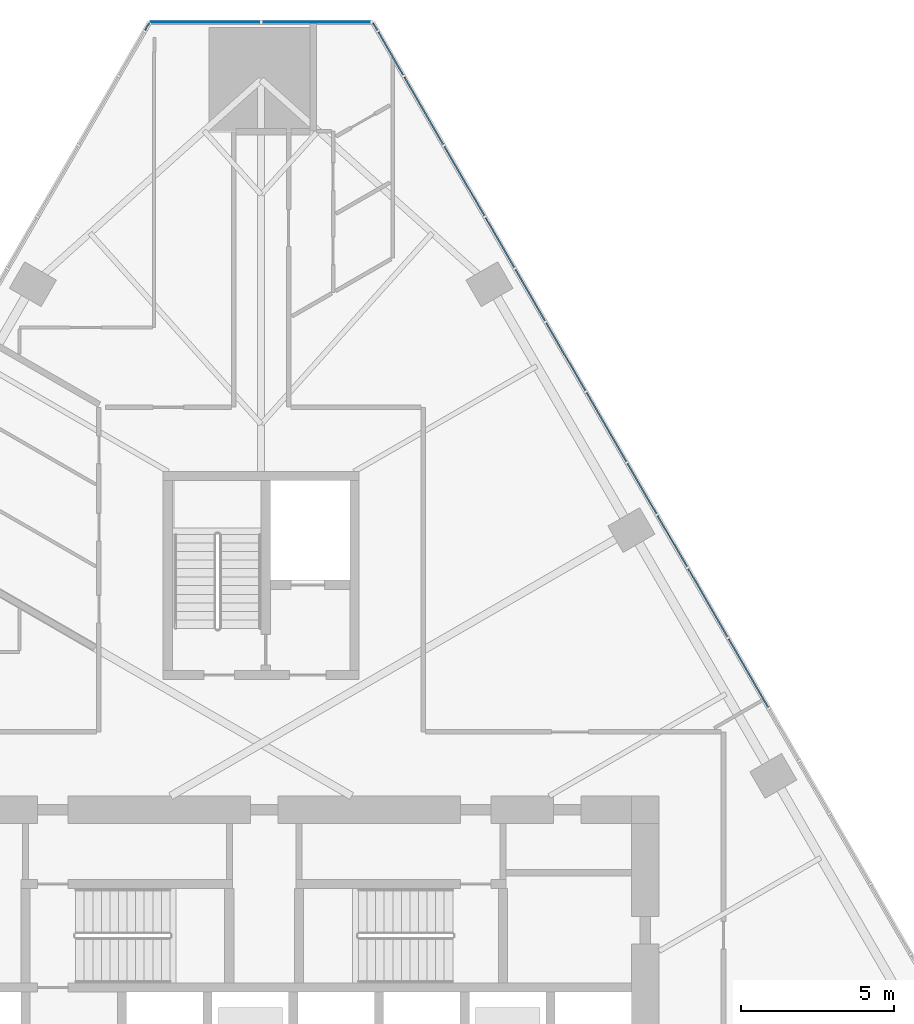
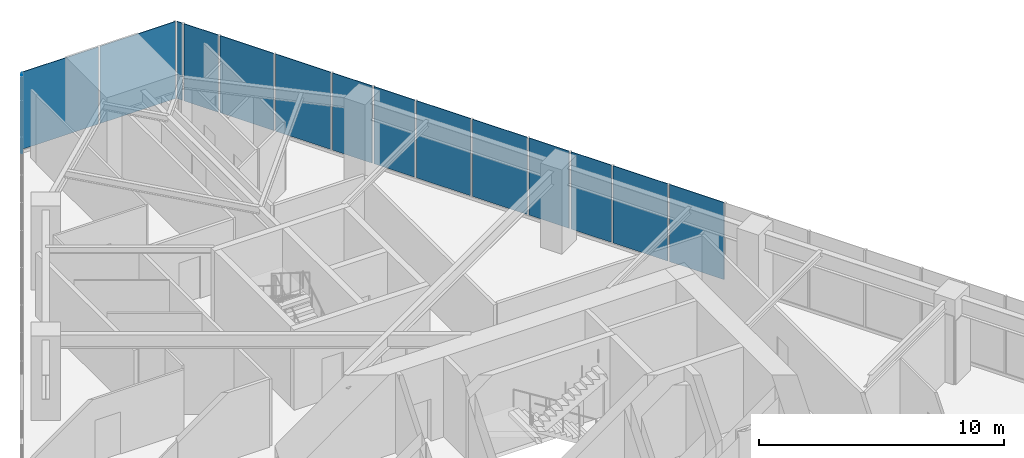
# One storey, part 15 of 22: 15 plates, 3 elements without a shape of their own.
"""IFC4 building model written with IfcOpenShell, lengths in metres."""

from ifc_helpers import new_model, si_unit, direction, frame, origin, place, context, subcontext, project, spatial, polyline, outline, extrude, material, layer, layer_set, type_object, element, aggregate, save


model = new_model("IFC4")

# Units and contexts
model_context = context("Model", 3, precision=1e-05, world=origin(), true_north=direction((0.0, 1.0)))
body_context = subcontext(model_context, "Body", "Model", "MODEL_VIEW")
ifc_project = project(units=[si_unit("LENGTHUNIT", "METRE"), si_unit("AREAUNIT", "SQUARE_METRE"), si_unit("VOLUMEUNIT", "CUBIC_METRE"), si_unit("PLANEANGLEUNIT", "RADIAN"), si_unit("MASSUNIT", "GRAM", prefix="KILO")], contexts=[model_context])

# Site, building, storey
site_placement = place(None, origin())
site = spatial("IfcSite", under=ifc_project, at=site_placement, CompositionType="ELEMENT")
building_placement = place(site_placement, origin())
building = spatial("IfcBuilding", under=site, at=building_placement, Name="Firuza Gate Tower and Library", CompositionType="ELEMENT")
storey_placement = place(building_placement, frame((0.0, 0.0, 132.39990234375)))
storey = spatial("IfcBuildingStorey", under=building, at=storey_placement, Name="L30", CompositionType="ELEMENT", Elevation=132.39990234375)

# Curtain wall, plates
ifc_material_1 = material(Name="Aluminium 6063-T6", Category="aluminium")
ifc_layer_1 = layer(ifc_material_1, 0.14990234375)
ifc_layer_set_1 = layer_set([ifc_layer_1], Name="Corner curtain wall, chamfers")
curtain_wall_type_1 = type_object("IfcCurtainWallType", Name="Corner curtain wall, chamfers", PredefinedType="NOTDEFINED", material=ifc_layer_set_1)
placement = place(storey_placement, origin())
curtain_wall_1 = element("IfcCurtainWall", 1, at=placement, inside=storey, type_object=curtain_wall_type_1, Name="CW4 L30 N corner", PredefinedType="NOTDEFINED")
ifc_material_2 = material(Name="Fritted glass", Category="glass")
ifc_layer_2 = layer(ifc_material_2, 0.030029296875)
ifc_layer_set_2 = layer_set([ifc_layer_2], Name="Fritted glass unit, corners")
plate_type_1 = type_object("IfcPlateType", Name="Fritted glass unit, corners", PredefinedType="CURTAIN_PANEL", material=ifc_layer_set_2)
plate_1_placement = place(storey_placement, frame((78.603271484375, 109.28857421875, 0.150146484375), z_axis=(0.0, 1.0, 0.0), x_axis=(-1.0, 0.0, 0.0)))
plate_1 = element("IfcPlate", 2, at=plate_1_placement, type_object=plate_type_1, Name="Glass unit", PredefinedType="CURTAIN_PANEL", context=body_context, shape_type="SweptSolid", body=[
    extrude(outline(polyline([(0.0, 0.0), (3.563232421875, 0.0), (3.563232421875, 3.849853515625), (0.0, 3.849853515625), (0.0, 0.0)])), origin(), (0.0, 0.0, -1.0), 0.030029296875),
])
plate_2_placement = place(storey_placement, frame((74.9599609375, 109.28857421875, 0.150146484375), z_axis=(0.0, 1.0, 0.0), x_axis=(-1.0, 0.0, 0.0)))
plate_2 = element("IfcPlate", 3, at=plate_2_placement, type_object=plate_type_1, Name="Glass unit", PredefinedType="CURTAIN_PANEL", context=body_context, shape_type="SweptSolid", body=[
    extrude(outline(polyline([(0.0, 0.0), (3.563232421875, 0.0), (3.563232421875, 3.849853515625), (0.0, 3.849853515625), (0.0, 0.0)])), origin(), (0.0, 0.0, -1.0), 0.030029296875),
])
aggregate(curtain_wall_1, [plate_1, plate_2])

ifc_material_3 = material(Name="Aluminium 6063-T6", Category="aluminium")
ifc_layer_3 = layer(ifc_material_3, 0.14990234375)
ifc_layer_set_3 = layer_set([ifc_layer_3], Name="Unitised curtain wall, offices")
curtain_wall_type_2 = type_object("IfcCurtainWallType", Name="Unitised curtain wall, offices", PredefinedType="NOTDEFINED", material=ifc_layer_set_3)
curtain_wall_2 = element("IfcCurtainWall", 4, at=placement, inside=storey, type_object=curtain_wall_type_2, Name="CW1 L30 E face", PredefinedType="NOTDEFINED")
ifc_material_4 = material(Name="Fritted glass", Category="glass")
ifc_layer_4 = layer(ifc_material_4, 0.030029296875)
ifc_layer_set_4 = layer_set([ifc_layer_4], Name="Fritted glass unit, offices")
plate_type_2 = type_object("IfcPlateType", Name="Fritted glass unit, offices", PredefinedType="CURTAIN_PANEL", material=ifc_layer_set_4)
plate_3_placement = place(storey_placement, frame((88.922119140625, 91.500244140625, 0.150146484375), z_axis=(0.865986339388, 0.500067655417, 0.0), x_axis=(-0.500067655417, 0.865986339388, 0.0)))
plate_3 = element("IfcPlate", 5, at=plate_3_placement, type_object=plate_type_2, Name="Glass unit", PredefinedType="CURTAIN_PANEL", context=body_context, shape_type="SweptSolid", body=[
    extrude(outline(polyline([(0.0, 0.0), (1.9181974783510434, 0.0), (1.9181974783510434, 3.849853515625001), (0.0, 3.849853515625001), (0.0, 0.0)])), origin(), (0.0, 0.0, -1.0), 0.030029296875),
])
plate_4_placement = place(storey_placement, frame((87.923095703125, 93.230712890625, 0.150146484375), z_axis=(0.865959598822, 0.500113960221, 0.0), x_axis=(-0.500113960221, 0.865959598822, 0.0)))
plate_4 = element("IfcPlate", 6, at=plate_4_placement, type_object=plate_type_2, Name="Glass unit", PredefinedType="CURTAIN_PANEL", context=body_context, shape_type="SweptSolid", body=[
    extrude(outline(polyline([(0.0, 0.0), (1.8892178461332794, 0.0), (1.8892178461332794, 3.849853515625), (0.0, 3.849853515625), (0.0, 0.0)])), origin(), (0.0, 0.0, -1.0), 0.030029296875),
])
plate_5_placement = place(storey_placement, frame((84.285888671875, 99.5302734375, 0.150146484375), z_axis=(0.866010966864, 0.500025004646, 0.0), x_axis=(-0.500025004646, 0.866010966864, 0.0)))
plate_5 = element("IfcPlate", 7, at=plate_5_placement, type_object=plate_type_2, Name="Glass unit", PredefinedType="CURTAIN_PANEL", context=body_context, shape_type="SweptSolid", body=[
    extrude(outline(polyline([(0.0, 0.0), (1.9325205435160588, 0.0), (1.9325205435160588, 3.849853515625001), (0.0, 3.849853515625001), (0.0, 0.0)])), origin(), (0.0, 0.0, -1.0), 0.030029296875),
])
plate_6_placement = place(storey_placement, frame((83.279541015625, 101.273193359375, 0.150146484375), z_axis=(0.86604679206, 0.499962952589, 0.0), x_axis=(-0.499962952589, 0.86604679206, 0.0)))
plate_6 = element("IfcPlate", 8, at=plate_6_placement, type_object=plate_type_2, Name="Glass unit", PredefinedType="CURTAIN_PANEL", context=body_context, shape_type="SweptSolid", body=[
    extrude(outline(polyline([(0.0, 0.0), (1.8746506206524143, 0.0), (1.8746506206524143, 3.849853515625), (0.0, 3.849853515625), (0.0, 0.0)])), origin(), (0.0, 0.0, -1.0), 0.030029296875),
])
plate_7_placement = place(storey_placement, frame((79.64990234375, 107.560302734375, 0.150146484375), z_axis=(0.865984300859, 0.500071185598, 0.0), x_axis=(-0.500071185598, 0.865984300859, 0.0)))
plate_7 = element("IfcPlate", 9, at=plate_7_placement, type_object=plate_type_2, Name="Glass unit", PredefinedType="CURTAIN_PANEL", context=body_context, shape_type="SweptSolid", body=[
    extrude(outline(polyline([(0.0, 0.0), (1.6159808683726462, 0.0), (1.6159808683726462, 3.849853515625), (0.0, 3.849853515625), (0.0, 0.0)])), origin(), (0.0, 0.0, -1.0), 0.030029296875),
])
ifc_material_5 = material(Name="Glazed ceramic tile")
ifc_layer_5 = layer(ifc_material_5, 0.030029296875)
ifc_layer_set_5 = layer_set([ifc_layer_5], Name="Opaque ceramic panel, offices")
plate_type_3 = type_object("IfcPlateType", Name="Opaque ceramic panel, offices", PredefinedType="CURTAIN_PANEL", material=ifc_layer_set_5)
plate_8_placement = place(storey_placement, frame((91.574462890625, 86.906005859375, 0.150146484375), z_axis=(0.866039021589, 0.499976412529, 0.0), x_axis=(-0.499976412529, 0.866039021589, 0.0)))
plate_8 = element("IfcPlate", 10, at=plate_8_placement, type_object=plate_type_3, Name="Opaque ceramic panel", PredefinedType="CURTAIN_PANEL", context=body_context, shape_type="SweptSolid", body=[
    extrude(outline(polyline([(0.0, 0.0), (2.5797115414918417, 0.0), (2.5797115414918417, 3.849853515625), (0.0, 3.849853515625), (0.0, 0.0)])), origin(), (0.0, 0.0, -1.0), 0.030029296875),
])
plate_9_placement = place(storey_placement, frame((90.24462890625, 89.20947265625, 0.150146484375), z_axis=(0.866038183914, 0.499977863513, 0.0), x_axis=(-0.499977863513, 0.866038183914, 0.0)))
plate_9 = element("IfcPlate", 11, at=plate_9_placement, type_object=plate_type_3, Name="Opaque ceramic panel", PredefinedType="CURTAIN_PANEL", context=body_context, shape_type="SweptSolid", body=[
    extrude(outline(polyline([(0.0, 0.0), (2.565054968863974, 0.0), (2.565054968863974, 3.849853515625), (0.0, 3.849853515625), (0.0, 0.0)])), origin(), (0.0, 0.0, -1.0), 0.030029296875),
])
plate_10_placement = place(storey_placement, frame((86.9384765625, 94.93603515625, 0.150146484375), z_axis=(0.866016323255, 0.500015727609, 0.0), x_axis=(-0.500015727609, 0.866016323255, 0.0)))
plate_10 = element("IfcPlate", 12, at=plate_10_placement, type_object=plate_type_3, Name="Opaque ceramic panel", PredefinedType="CURTAIN_PANEL", context=body_context, shape_type="SweptSolid", body=[
    extrude(outline(polyline([(0.0, 0.0), (2.59415668148844, 0.0), (2.59415668148844, 3.849853515625), (0.0, 3.849853515625), (0.0, 0.0)])), origin(), (0.0, 0.0, -1.0), 0.030029296875),
])
plate_11_placement = place(storey_placement, frame((85.601318359375, 97.251953125, 0.150146484375), z_axis=(0.866019818373, 0.500009674092, 0.0), x_axis=(-0.500009674092, 0.866019818373, 0.0)))
plate_11 = element("IfcPlate", 13, at=plate_11_placement, type_object=plate_type_3, Name="Opaque ceramic panel", PredefinedType="CURTAIN_PANEL", context=body_context, shape_type="SweptSolid", body=[
    extrude(outline(polyline([(0.0, 0.0), (2.5507318979720375, 0.0), (2.5507318979720375, 3.849853515625001), (0.0, 3.849853515625001), (0.0, 0.0)])), origin(), (0.0, 0.0, -1.0), 0.030029296875),
])
plate_12_placement = place(storey_placement, frame((82.30224609375, 102.966064453125, 0.150146484375), z_axis=(0.866034402474, 0.499984413489, 0.0), x_axis=(-0.499984413489, 0.866034402474, 0.0)))
plate_12 = element("IfcPlate", 14, at=plate_12_placement, type_object=plate_type_3, Name="Opaque ceramic panel", PredefinedType="CURTAIN_PANEL", context=body_context, shape_type="SweptSolid", body=[
    extrude(outline(polyline([(0.0, 0.0), (2.6084797516962457, 0.0), (2.6084797516962457, 3.849853515625), (0.0, 3.849853515625), (0.0, 0.0)])), origin(), (0.0, 0.0, -1.0), 0.030029296875),
])
plate_13_placement = place(storey_placement, frame((80.9580078125, 105.29443359375, 0.150146484375), z_axis=(0.866001244224, 0.500041843252, 0.0), x_axis=(-0.500041843252, 0.866001244224, 0.0)))
plate_13 = element("IfcPlate", 15, at=plate_13_placement, type_object=plate_type_3, Name="Opaque ceramic panel", PredefinedType="CURTAIN_PANEL", context=body_context, shape_type="SweptSolid", body=[
    extrude(outline(polyline([(0.0, 0.0), (2.5364088305604313, 0.0), (2.5364088305604313, 3.849853515625), (0.0, 3.849853515625), (0.0, 0.0)])), origin(), (0.0, 0.0, -1.0), 0.030029296875),
])
plate_14_placement = place(storey_placement, frame((78.802001953125, 109.02880859375, 0.150146484375), z_axis=(0.865780878536, 0.500423291185, 0.0), x_axis=(-0.500423291185, 0.865780878536, 0.0)))
plate_14 = element("IfcPlate", 16, at=plate_14_placement, type_object=plate_type_3, Name="Opaque ceramic panel", PredefinedType="CURTAIN_PANEL", context=body_context, shape_type="SweptSolid", body=[
    extrude(outline(polyline([(0.0, 0.0), (0.2512521381192305, 0.0), (0.2512521381192305, 3.849853515625), (0.0, 3.849853515625), (0.0, 0.0)])), origin(), (0.0, 0.0, -1.0), 0.030029296875),
])
aggregate(curtain_wall_2, [plate_8, plate_9, plate_3, plate_4, plate_10, plate_11, plate_5, plate_6, plate_12, plate_13, plate_7, plate_14])

# Curtain wall, plate
curtain_wall_3 = element("IfcCurtainWall", 17, at=placement, inside=storey, type_object=curtain_wall_type_2, Name="CW1 L30 W face", PredefinedType="NOTDEFINED")
plate_15_placement = place(storey_placement, frame((71.32373046875, 109.246337890625, 0.150146484375), z_axis=(-0.865780878536, 0.500423291185, 0.0), x_axis=(-0.500423291185, -0.865780878536, 0.0)))
plate_15 = element("IfcPlate", 18, at=plate_15_placement, type_object=plate_type_3, Name="Opaque ceramic panel", PredefinedType="CURTAIN_PANEL", context=body_context, shape_type="SweptSolid", body=[
    extrude(outline(polyline([(0.0, 0.0), (0.2512521381192305, 0.0), (0.2512521381192305, 3.849853515625), (0.0, 3.849853515625), (0.0, 0.0)])), origin(), (0.0, 0.0, -1.0), 0.030029296875),
])
aggregate(curtain_wall_3, [plate_15])

save(model, "model.ifc")
